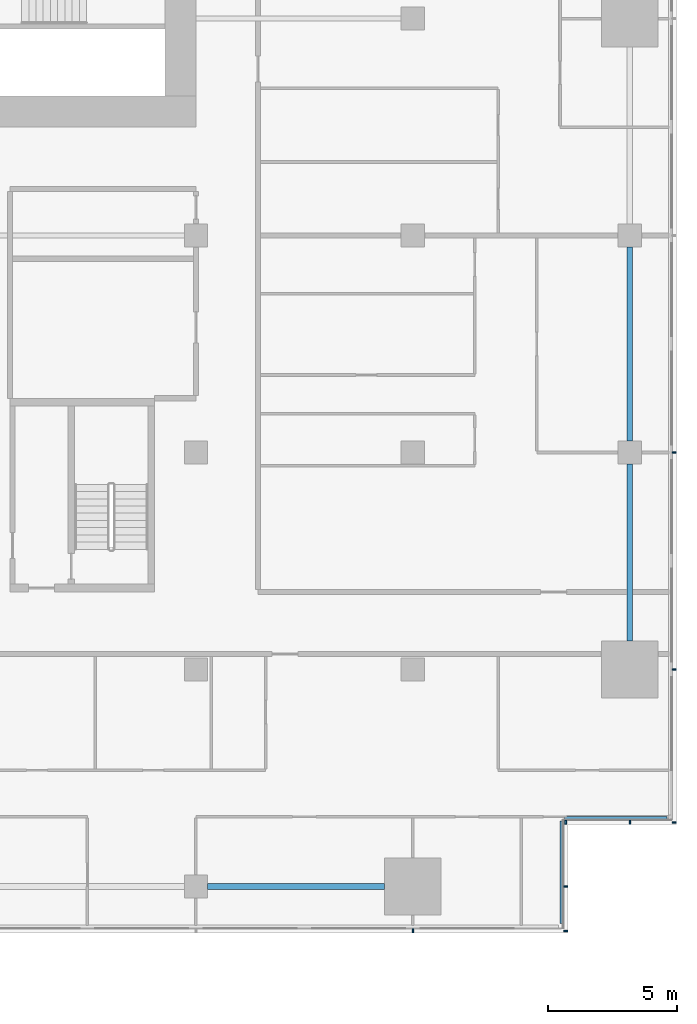
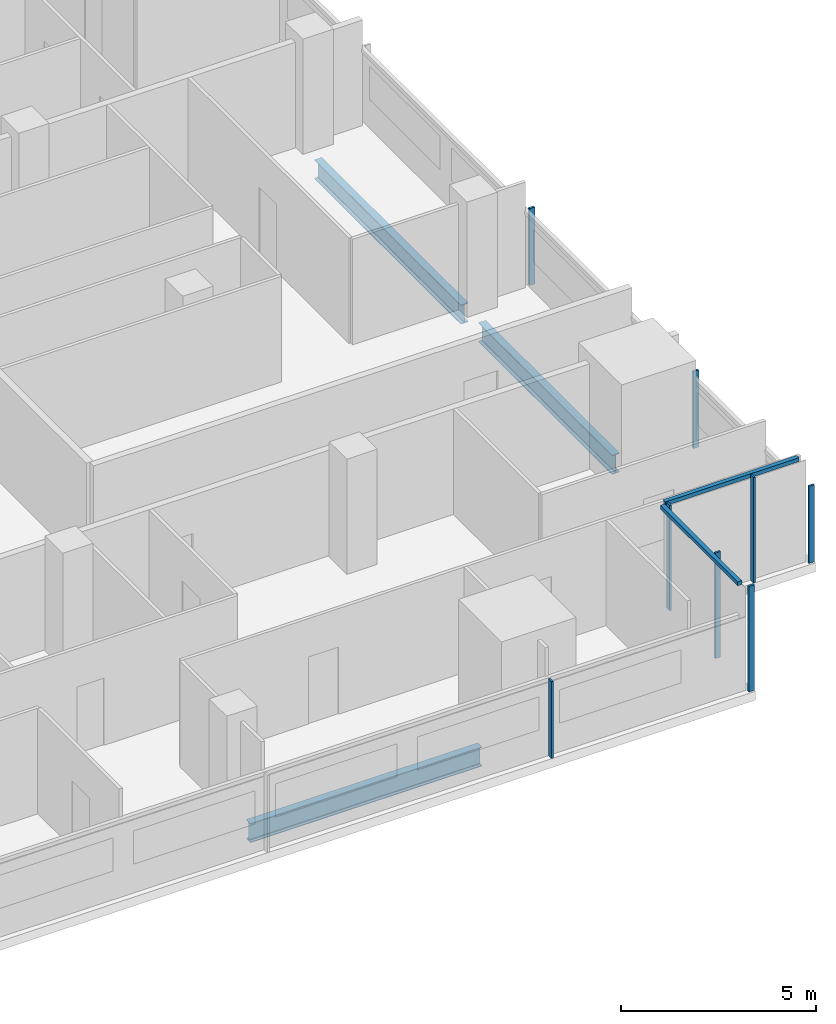
# One storey, part 12 of 25: 10 members, 3 beams, 4 elements without a shape of their own.
"""IFC4 building model written with IfcOpenShell, lengths in metres."""

from ifc_helpers import new_model, si_unit, direction, frame, origin, origin_2d, place, context, subcontext, project, spatial, rectangle, i_section, extrude, material, material_profile, profile_set, type_object, element, aggregate, save


model = new_model("IFC4")

# Units and contexts
model_context = context("Model", 3, precision=1e-05, world=origin(), true_north=direction((0.0, 1.0)))
body_context = subcontext(model_context, "Body", "Model", "MODEL_VIEW")
ifc_project = project(units=[si_unit("LENGTHUNIT", "METRE"), si_unit("AREAUNIT", "SQUARE_METRE"), si_unit("VOLUMEUNIT", "CUBIC_METRE"), si_unit("PLANEANGLEUNIT", "RADIAN"), si_unit("MASSUNIT", "GRAM", prefix="KILO")], contexts=[model_context])

# Site, building, storey
site_placement = place(None, origin())
site = spatial("IfcSite", under=ifc_project, at=site_placement, CompositionType="ELEMENT")
building_placement = place(site_placement, origin())
building = spatial("IfcBuilding", under=site, at=building_placement, Name="Saffron Gate Tower", CompositionType="ELEMENT")
storey_placement = place(building_placement, frame((0.0, 0.0, 80.39990234375)))
storey = spatial("IfcBuildingStorey", under=building, at=storey_placement, Name="L19", CompositionType="ELEMENT", Elevation=80.39990234375)

# Beams
ifc_material_1 = material(Name="Structural steel S355", Category="steel")
ifc_material_profile_1 = material_profile(ifc_material_1, i_section(OverallWidth=0.219970703125, OverallDepth=0.60009765625, WebThickness=0.011962890625, FlangeThickness=0.01904296875, FilletRadius=0.02392578125, at=origin_2d()))
ifc_profile_set_1 = profile_set([ifc_material_profile_1], Name="Structural steel S355")
beam_type = type_object("IfcBeamType", Name="B16 IPE 600", PredefinedType="SPANDREL", material=ifc_profile_set_1)
for number, where, z_axis, x_axis, name in (
    (1, (109.050048828125, 31.800048828125, -0.579833984375), (1.0, 0.0, 0.0), (0.0, 1.0, 0.0), "B16 SPANDREL BEAM"),
    (2, (125.39990234375, 41.300048828125, -0.579833984375), (0.0, 1.0, 0.0), (-1.0, 0.0, 0.0), "B16 SPANDREL BEAM"),
):
    element("IfcBeam", number, at=place(storey_placement, frame(where, z_axis=z_axis, x_axis=x_axis)), inside=storey, type_object=beam_type, Name=name, PredefinedType="SPANDREL", context=body_context, shape_type="SweptSolid", body=[
        extrude(i_section(OverallWidth=0.219970703125, OverallDepth=0.60009765625, WebThickness=0.011962890625, FlangeThickness=0.01904296875, FilletRadius=0.02392578125, at=origin_2d()), origin(), (0.0, 0.0, 1.0), 6.849853515625),
    ])
beam_placement = place(storey_placement, frame((125.39990234375, 49.050048828125, -0.579833984375), z_axis=(0.0, 1.0, 0.0), x_axis=(-1.0, 0.0, 0.0)))
element("IfcBeam", 3, at=beam_placement, inside=storey, type_object=beam_type, Name="B16 SPANDREL BEAM", PredefinedType="SPANDREL", context=body_context, shape_type="SweptSolid", body=[
    extrude(i_section(OverallWidth=0.219970703125, OverallDepth=0.60009765625, WebThickness=0.011962890625, FlangeThickness=0.01904296875, FilletRadius=0.02392578125, at=origin_2d()), origin(), (0.0, 0.0, 1.0), 7.5),
])

# Curtain wall, member
ifc_material_2 = material(Name="Aluminium, bronze anodised", Category="aluminium")
curtain_wall_type_1 = type_object("IfcCurtainWallType", Name="CWS1 curtain wall front facade", PredefinedType="NOTDEFINED", material=ifc_material_2)
curtain_wall_1_placement = place(storey_placement, origin())
curtain_wall_1 = element("IfcCurtainWall", 4, at=curtain_wall_1_placement, inside=storey, type_object=curtain_wall_type_1, Name="CWS1 run 1", PredefinedType="NOTDEFINED")
ifc_material_profile_2 = material_profile(ifc_material_2, rectangle(XDim=0.159912109375, YDim=0.06005859375, at=origin_2d()))
ifc_profile_set_2 = profile_set([ifc_material_profile_2], Name="Aluminium, bronze anodised")
member_type_1 = type_object("IfcMemberType", Name="CWS1 mullion 60x160", PredefinedType="MULLION", material=ifc_profile_set_2)
member_1_placement = place(storey_placement, frame((117.0, 30.080078125, 0.0), z_axis=(0.0, 0.0, 1.0), x_axis=(0.0, 1.0, 0.0)))
member_1 = element("IfcMember", 5, at=member_1_placement, type_object=member_type_1, Name="CWS1 mullion 9", PredefinedType="MULLION", context=body_context, shape_type="SweptSolid", body=[
    extrude(rectangle(XDim=0.159912109375, YDim=0.06005859375, at=origin_2d()), origin(), (0.0, 0.0, 1.0), 2.41015625),
])
aggregate(curtain_wall_1, [member_1])

# Curtain wall, members
curtain_wall_type_2 = type_object("IfcCurtainWallType", Name="CWS2 curtain wall side facades", PredefinedType="NOTDEFINED", material=ifc_material_2)
curtain_wall_2_placement = place(storey_placement, origin())
curtain_wall_2 = element("IfcCurtainWall", 6, at=curtain_wall_2_placement, inside=storey, type_object=curtain_wall_type_2, Name="CWS2 run 4", PredefinedType="NOTDEFINED")
ifc_material_profile_3 = material_profile(ifc_material_2, rectangle(XDim=0.159912109375, YDim=0.06005859375, at=origin_2d()))
ifc_profile_set_3 = profile_set([ifc_material_profile_3], Name="Aluminium, bronze anodised")
member_type_2 = type_object("IfcMemberType", Name="CWS2 mullion 60x160", PredefinedType="MULLION", material=ifc_profile_set_3)
member_2_placement = place(storey_placement, frame((127.1201171875, 34.280029296875, 0.0), z_axis=(0.0, 0.0, 1.0), x_axis=(-1.0, 0.0, 0.0)))
member_2 = element("IfcMember", 7, at=member_2_placement, type_object=member_type_2, Name="CWS2 mullion 1", PredefinedType="MULLION", context=body_context, shape_type="SweptSolid", body=[
    extrude(rectangle(XDim=0.159912109375, YDim=0.06005859375, at=origin_2d()), origin(), (0.0, 0.0, 1.0), 2.41015625),
])
member_3_placement = place(storey_placement, frame((127.1201171875, 40.199951171875, 0.0), z_axis=(0.0, 0.0, 1.0), x_axis=(-1.0, 0.0, 0.0)))
member_3 = element("IfcMember", 8, at=member_3_placement, type_object=member_type_2, Name="CWS2 mullion 2", PredefinedType="MULLION", context=body_context, shape_type="SweptSolid", body=[
    extrude(rectangle(XDim=0.159912109375, YDim=0.06005859375, at=origin_2d()), origin(), (0.0, 0.0, 1.0), 2.41015625),
])
member_4_placement = place(storey_placement, frame((127.1201171875, 48.60009765625, 0.0), z_axis=(0.0, 0.0, 1.0), x_axis=(-1.0, 0.0, 0.0)))
member_4 = element("IfcMember", 9, at=member_4_placement, type_object=member_type_2, Name="CWS2 mullion 3", PredefinedType="MULLION", context=body_context, shape_type="SweptSolid", body=[
    extrude(rectangle(XDim=0.159912109375, YDim=0.06005859375, at=origin_2d()), origin(), (0.0, 0.0, 1.0), 2.41015625),
])
aggregate(curtain_wall_2, [member_2, member_3, member_4])

# Curtain wall, member
curtain_wall_type_3 = type_object("IfcCurtainWallType", Name="CWS4 curtain wall corner returns", PredefinedType="NOTDEFINED", material=ifc_material_2)
curtain_wall_3_placement = place(storey_placement, origin())
curtain_wall_3 = element("IfcCurtainWall", 10, at=curtain_wall_3_placement, inside=storey, type_object=curtain_wall_type_3, Name="CWS4 run 2", PredefinedType="NOTDEFINED")
ifc_material_profile_4 = material_profile(ifc_material_2, rectangle(XDim=0.1201171875, YDim=0.1201171875, at=origin_2d()))
ifc_profile_set_4 = profile_set([ifc_material_profile_4], Name="Aluminium, bronze anodised")
member_type_3 = type_object("IfcMemberType", Name="CWS4 head transom", PredefinedType="USERDEFINED", material=ifc_profile_set_4)
member_5_placement = place(storey_placement, frame((122.751953125, 30.367919921875, 3.239990234375), z_axis=(0.0, 1.0, 0.0), x_axis=(-1.0, 0.0, 0.0)))
member_5 = element("IfcMember", 11, at=member_5_placement, type_object=member_type_3, Name="CWS4 head transom", ObjectType="TRANSOM", PredefinedType="USERDEFINED", context=body_context, shape_type="SweptSolid", body=[
    extrude(rectangle(XDim=0.1201171875, YDim=0.1201171875, at=origin_2d()), origin(), (0.0, 0.0, 1.0), 3.9599609375),
])

curtain_wall_4_placement = place(storey_placement, origin())
curtain_wall_4 = element("IfcCurtainWall", 12, at=curtain_wall_4_placement, inside=storey, type_object=curtain_wall_type_3, Name="CWS4 run 3", PredefinedType="NOTDEFINED")
member_6_placement = place(storey_placement, frame((122.8720703125, 34.447998046875, 3.239990234375), z_axis=(1.0, 0.0, 0.0), x_axis=(0.0, 1.0, 0.0)))
member_6 = element("IfcMember", 13, at=member_6_placement, type_object=member_type_3, Name="CWS4 head transom", ObjectType="TRANSOM", PredefinedType="USERDEFINED", context=body_context, shape_type="SweptSolid", body=[
    extrude(rectangle(XDim=0.1201171875, YDim=0.1201171875, at=origin_2d()), origin(), (0.0, 0.0, 1.0), 3.9599609375),
])

# Member
ifc_material_profile_5 = material_profile(ifc_material_2, rectangle(XDim=0.159912109375, YDim=0.06005859375, at=origin_2d()))
ifc_profile_set_5 = profile_set([ifc_material_profile_5], Name="Aluminium, bronze anodised")
member_type_4 = type_object("IfcMemberType", Name="CWS4 mullion 60x160", PredefinedType="MULLION", material=ifc_profile_set_5)
member_7_placement = place(storey_placement, frame((122.919921875, 30.080078125, 0.0), z_axis=(0.0, 0.0, 1.0), x_axis=(-1.0, 0.0, 0.0)))
member_7 = element("IfcMember", 14, at=member_7_placement, type_object=member_type_4, Name="CWS4 mullion 1", PredefinedType="MULLION", context=body_context, shape_type="SweptSolid", body=[
    extrude(rectangle(XDim=0.159912109375, YDim=0.06005859375, at=origin_2d()), origin(), (0.0, 0.0, 1.0), 3.300048828125),
])

member_8_placement = place(storey_placement, frame((122.919921875, 31.800048828125, 0.0), z_axis=(0.0, 0.0, 1.0), x_axis=(-1.0, 0.0, 0.0)))
member_8 = element("IfcMember", 15, at=member_8_placement, type_object=member_type_4, Name="CWS4 mullion 2", PredefinedType="MULLION", context=body_context, shape_type="SweptSolid", body=[
    extrude(rectangle(XDim=0.159912109375, YDim=0.06005859375, at=origin_2d()), origin(), (0.0, 0.0, 1.0), 3.300048828125),
])

aggregate(curtain_wall_3, [member_7, member_8, member_5])

member_9_placement = place(storey_placement, frame((122.919921875, 34.280029296875, 0.0), z_axis=(0.0, 0.0, 1.0), x_axis=(0.0, 1.0, 0.0)))
member_9 = element("IfcMember", 16, at=member_9_placement, type_object=member_type_4, Name="CWS4 mullion 1", PredefinedType="MULLION", context=body_context, shape_type="SweptSolid", body=[
    extrude(rectangle(XDim=0.159912109375, YDim=0.06005859375, at=origin_2d()), origin(), (0.0, 0.0, 1.0), 3.300048828125),
])

member_10_placement = place(storey_placement, frame((125.39990234375, 34.280029296875, 0.0), z_axis=(0.0, 0.0, 1.0), x_axis=(0.0, 1.0, 0.0)))
member_10 = element("IfcMember", 17, at=member_10_placement, type_object=member_type_4, Name="CWS4 mullion 2", PredefinedType="MULLION", context=body_context, shape_type="SweptSolid", body=[
    extrude(rectangle(XDim=0.159912109375, YDim=0.06005859375, at=origin_2d()), origin(), (0.0, 0.0, 1.0), 3.300048828125),
])

aggregate(curtain_wall_4, [member_9, member_10, member_6])

save(model, "model.ifc")
